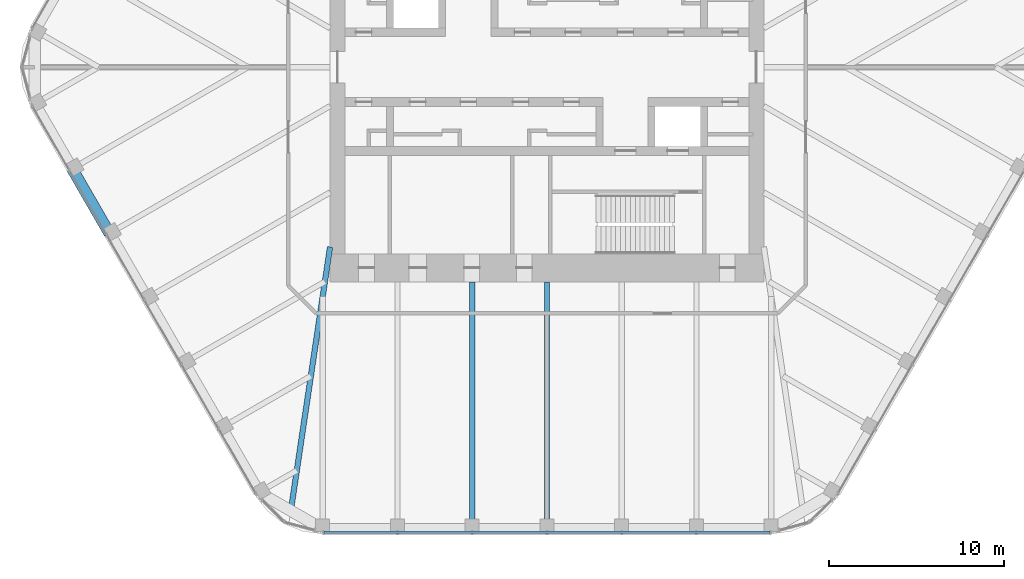
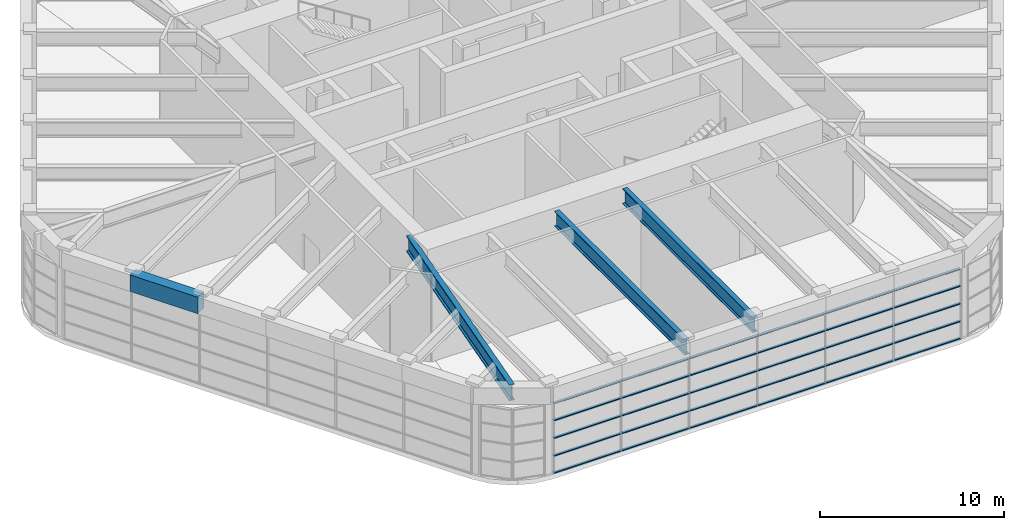
# One storey, part 3 of 16: 5 members, 4 beams, 1 element without a shape of its own.
"""IFC4 building model written with IfcOpenShell, lengths in metres."""

from ifc_helpers import new_model, si_unit, direction, frame, origin, origin_2d, place, context, subcontext, project, spatial, rectangle, i_section, extrude, material, material_profile, profile_set, type_object, element, aggregate, save


model = new_model("IFC4")

# Units and contexts
model_context = context("Model", 3, precision=1e-05, world=origin(), true_north=direction((0.0, 1.0)))
body_context = subcontext(model_context, "Body", "Model", "MODEL_VIEW")
ifc_project = project(units=[si_unit("LENGTHUNIT", "METRE"), si_unit("AREAUNIT", "SQUARE_METRE"), si_unit("VOLUMEUNIT", "CUBIC_METRE"), si_unit("PLANEANGLEUNIT", "RADIAN"), si_unit("MASSUNIT", "GRAM", prefix="KILO")], contexts=[model_context])

# Site, building, storey
site_placement = place(None, origin())
site = spatial("IfcSite", under=ifc_project, at=site_placement, CompositionType="ELEMENT")
building_placement = place(site_placement, origin())
building = spatial("IfcBuilding", under=site, at=building_placement, Name="Tarfa Lantern Tower", CompositionType="ELEMENT")
storey_placement = place(building_placement, frame((0.0, 0.0, 396.300048828125)))
storey = spatial("IfcBuildingStorey", under=building, at=storey_placement, Name="L90", CompositionType="ELEMENT", Elevation=396.300048828125)

# Curtain wall, members
ifc_material_1 = material(Name="Aluminium framed curtain wall", Category="aluminium")
curtain_wall_type = type_object("IfcCurtainWallType", Name="CW8 LANTERN GLAZING 4700", PredefinedType="USERDEFINED", material=ifc_material_1)
curtain_wall_placement = place(storey_placement, origin())
curtain_wall = element("IfcCurtainWall", 1, at=curtain_wall_placement, inside=storey, type_object=curtain_wall_type, Name="CW8 S L90", ObjectType="CURTAIN WALL", PredefinedType="USERDEFINED")
ifc_material_2 = material(Name="Aluminium transom", Category="aluminium")
ifc_material_profile_1 = material_profile(ifc_material_2, rectangle(XDim=0.14990234375, YDim=0.06494140625, at=origin_2d()), Name="AL TRANSOM 150x65")
ifc_profile_set_1 = profile_set([ifc_material_profile_1], Name="Aluminium transom")
member_type = type_object("IfcMemberType", Name="CWT1 TRANSOM 150x65", PredefinedType="USERDEFINED", material=ifc_profile_set_1)
member_1_placement = place(storey_placement, frame((-12.781005859375, -26.64990234375, 0.032470703125), z_axis=(1.0, 0.0, 0.0), x_axis=(0.0, 1.0, 0.0)))
member_1 = element("IfcMember", 2, at=member_1_placement, type_object=member_type, Name="CW8 transom 1.1", ObjectType="TRANSOM", PredefinedType="USERDEFINED", context=body_context, shape_type="SweptSolid", body=[
    extrude(rectangle(XDim=0.14990234375, YDim=0.06494140625, at=origin_2d()), origin(), (0.0, 0.0, 1.0), 25.56201171875),
])
member_2_placement = place(storey_placement, frame((-12.781005859375, -26.64990234375, 1.175048828125), z_axis=(1.0, 0.0, 0.0), x_axis=(0.0, 1.0, 0.0)))
member_2 = element("IfcMember", 3, at=member_2_placement, type_object=member_type, Name="CW8 transom 1.2", ObjectType="TRANSOM", PredefinedType="USERDEFINED", context=body_context, shape_type="SweptSolid", body=[
    extrude(rectangle(XDim=0.14990234375, YDim=0.06494140625, at=origin_2d()), origin(), (0.0, 0.0, 1.0), 25.56201171875),
])
member_3_placement = place(storey_placement, frame((-12.781005859375, -26.64990234375, 2.349853515625), z_axis=(1.0, 0.0, 0.0), x_axis=(0.0, 1.0, 0.0)))
member_3 = element("IfcMember", 4, at=member_3_placement, type_object=member_type, Name="CW8 transom 1.3", ObjectType="TRANSOM", PredefinedType="USERDEFINED", context=body_context, shape_type="SweptSolid", body=[
    extrude(rectangle(XDim=0.14990234375, YDim=0.06494140625, at=origin_2d()), origin(), (0.0, 0.0, 1.0), 25.56201171875),
])
member_4_placement = place(storey_placement, frame((-12.781005859375, -26.64990234375, 3.52490234375), z_axis=(1.0, 0.0, 0.0), x_axis=(0.0, 1.0, 0.0)))
member_4 = element("IfcMember", 5, at=member_4_placement, type_object=member_type, Name="CW8 transom 1.4", ObjectType="TRANSOM", PredefinedType="USERDEFINED", context=body_context, shape_type="SweptSolid", body=[
    extrude(rectangle(XDim=0.14990234375, YDim=0.06494140625, at=origin_2d()), origin(), (0.0, 0.0, 1.0), 25.56201171875),
])
member_5_placement = place(storey_placement, frame((-12.781005859375, -26.64990234375, 4.66748046875), z_axis=(1.0, 0.0, 0.0), x_axis=(0.0, 1.0, 0.0)))
member_5 = element("IfcMember", 6, at=member_5_placement, type_object=member_type, Name="CW8 transom 1.5", ObjectType="TRANSOM", PredefinedType="USERDEFINED", context=body_context, shape_type="SweptSolid", body=[
    extrude(rectangle(XDim=0.14990234375, YDim=0.06494140625, at=origin_2d()), origin(), (0.0, 0.0, 1.0), 25.56201171875),
])
aggregate(curtain_wall, [member_1, member_2, member_3, member_4, member_5])

# Beams
ifc_material_3 = material(Name="Concrete C80/95", Category="concrete")
ifc_material_profile_2 = material_profile(ifc_material_3, rectangle(XDim=0.64990234375, YDim=1.10009765625, at=origin_2d()), Name="RC 650x1100")
ifc_profile_set_2 = profile_set([ifc_material_profile_2], Name="Concrete C80/95")
beam_type_1 = type_object("IfcBeamType", Name="EB4 RC 650x1100", PredefinedType="SPANDREL", material=ifc_profile_set_2)
beam_1_placement = place(storey_placement, frame((-27.205810546875, -5.818359375, 5.25), z_axis=(0.500026801138, -0.866009929587, 0.0), x_axis=(0.866009929587, 0.500026801138, 0.0)))
element("IfcBeam", 7, at=beam_1_placement, inside=storey, type_object=beam_type_1, Name="Edge beam SW1", PredefinedType="SPANDREL", context=body_context, shape_type="SweptSolid", body=[
    extrude(rectangle(XDim=0.64990234375, YDim=1.10009765625, at=origin_2d()), origin(), (0.0, 0.0, 1.0), 4.281982421875),
])
ifc_material_4 = material(Name="Steel S460M", Category="steel")
ifc_material_profile_3 = material_profile(ifc_material_4, i_section(OverallWidth=0.302001953125, OverallDepth=1.008056640625, WebThickness=0.02099609375, FlangeThickness=0.0400390625, FilletRadius=0.030029296875, at=origin_2d()), Name="UB1016x305x349")
ifc_profile_set_3 = profile_set([ifc_material_profile_3], Name="Steel S460M")
beam_type_2 = type_object("IfcBeamType", Name="UB1016x305x349", PredefinedType="BEAM", material=ifc_profile_set_3)
for number, where, z_axis, x_axis, name in (
    (8, (-4.281982421875, -26.469970703125, 5.2958984375), (0.0, 1.0, 0.0), (-1.0, 0.0, 0.0), "Floor beam S2"),
    (9, (0.0, -26.469970703125, 5.2958984375), (0.0, 1.0, 0.0), (-1.0, 0.0, 0.0), "Floor beam S3"),
):
    element("IfcBeam", number, at=place(storey_placement, frame(where, z_axis=z_axis, x_axis=x_axis)), inside=storey, type_object=beam_type_2, Name=name, PredefinedType="BEAM", context=body_context, shape_type="SweptSolid", body=[
        extrude(i_section(OverallWidth=0.302001953125, OverallDepth=1.008056640625, WebThickness=0.02099609375, FlangeThickness=0.0400390625, FilletRadius=0.030029296875, at=origin_2d()), origin(), (0.0, 0.0, 1.0), 14.169921875),
    ])
ifc_material_profile_4 = material_profile(ifc_material_4, i_section(OverallWidth=0.314208984375, OverallDepth=1.055908203125, WebThickness=0.035888671875, FlangeThickness=0.06396484375, FilletRadius=0.030029296875, at=origin_2d()), Name="UB1016x305x584")
ifc_profile_set_4 = profile_set([ifc_material_profile_4], Name="Steel S460M")
beam_type_3 = type_object("IfcBeamType", Name="UB1016x305x584", PredefinedType="BEAM", material=ifc_profile_set_4)
beam_2_placement = place(storey_placement, frame((-12.425048828125, -10.300048828125, 5.27197265625), z_axis=(-0.147127069073, -0.989117599452, 0.0), x_axis=(0.989117599452, -0.147127069073, 0.0)))
element("IfcBeam", 10, at=beam_2_placement, inside=storey, type_object=beam_type_3, Name="Hip girder SW", PredefinedType="BEAM", context=body_context, shape_type="SweptSolid", body=[
    extrude(i_section(OverallWidth=0.314208984375, OverallDepth=1.055908203125, WebThickness=0.035888671875, FlangeThickness=0.06396484375, FilletRadius=0.030029296875, at=origin_2d()), origin(), (0.0, 0.0, 1.0), 15.28125),
])

save(model, "model.ifc")
